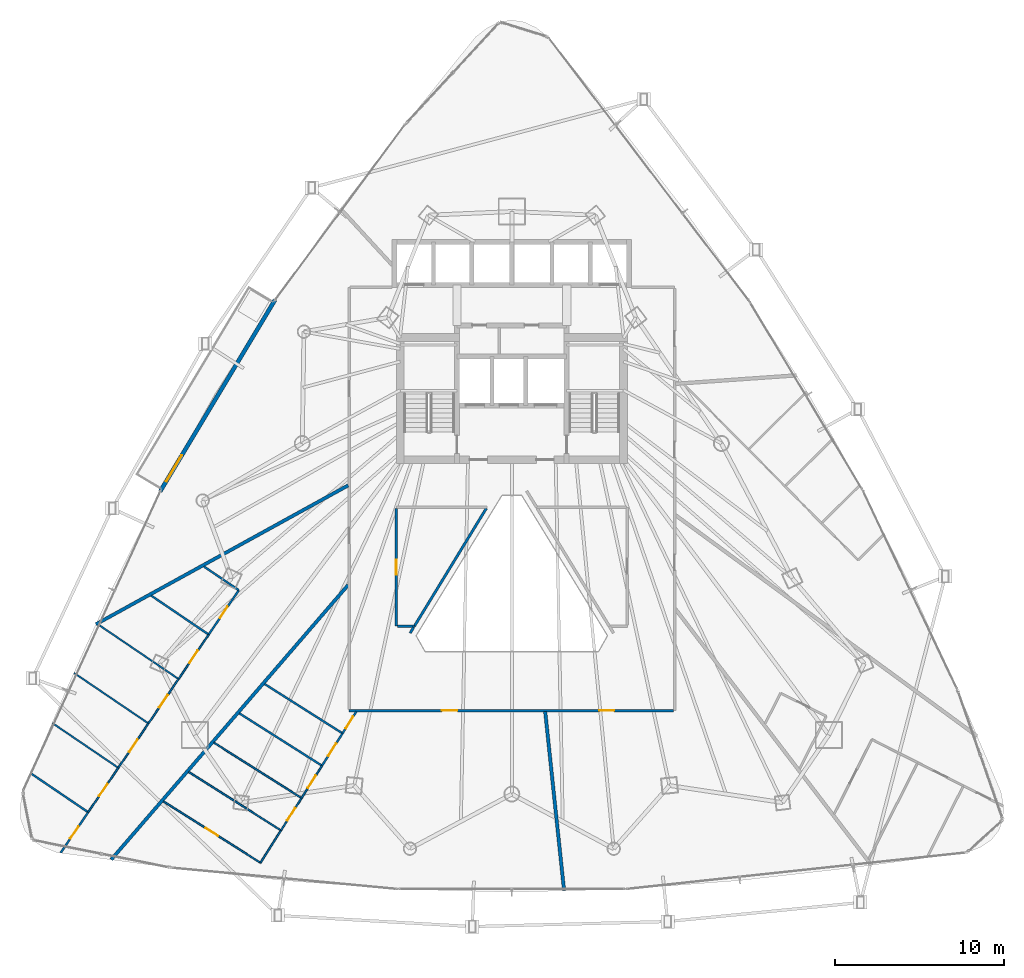
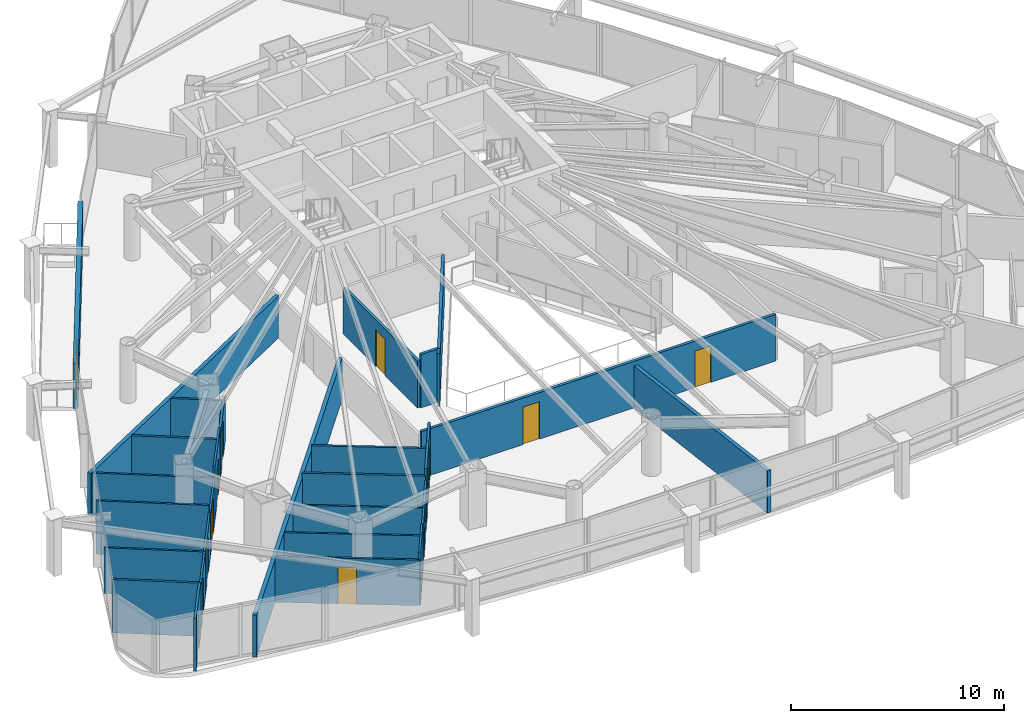
# One storey, part 29 of 35: 31 walls, 15 doors, 15 openings.
"""IFC4 building model written with IfcOpenShell, lengths in metres."""

from ifc_helpers import new_model, si_unit, direction, frame, frame_2d, origin, place, context, subcontext, project, spatial, rectangle, extrude, material, layer, layer_set, type_object, element, fill, save


model = new_model("IFC4")

# Units and contexts
model_context = context("Model", 3, precision=1e-05, world=origin(), true_north=direction((0.0, 1.0)))
body_context = subcontext(model_context, "Body", "Model", "MODEL_VIEW")
ifc_project = project(units=[si_unit("LENGTHUNIT", "METRE"), si_unit("AREAUNIT", "SQUARE_METRE"), si_unit("VOLUMEUNIT", "CUBIC_METRE"), si_unit("PLANEANGLEUNIT", "RADIAN"), si_unit("MASSUNIT", "GRAM", prefix="KILO")], contexts=[model_context])

# Site, building, storey
site_placement = place(None, origin())
site = spatial("IfcSite", under=ifc_project, at=site_placement, CompositionType="ELEMENT")
building_placement = place(site_placement, origin())
building = spatial("IfcBuilding", under=site, at=building_placement, Name="Orvanel Arch Residences", CompositionType="ELEMENT")
storey_placement = place(building_placement, frame((0.0, 0.0, 30.199951171875)))
storey = spatial("IfcBuildingStorey", under=building, at=storey_placement, Name="L07", CompositionType="ELEMENT", Elevation=30.199951171875)

# Wall, opening, door
ifc_material_1 = material(Name="Precast concrete N50 (50 MPa)", Category="concrete")
ifc_layer_1 = layer(ifc_material_1, 0.239990234375)
ifc_layer_set_1 = layer_set([ifc_layer_1], Name="Precast concrete N50 (50 MPa)")
wall_type_1 = type_object("IfcWallType", Name="EW-BAL-240", PredefinedType="SOLIDWALL", material=ifc_layer_set_1)
wall_1_placement = place(storey_placement, frame((18.95703125, 36.159912109375, 0.0), z_axis=(0.0, 0.0, 1.0), x_axis=(-0.51435482044, -0.857577470955, 0.0)))
wall_1 = element("IfcWall", 1, at=wall_1_placement, inside=storey, type_object=wall_type_1, Name="L07 Balcony Threshold Wall Face 1", PredefinedType="SOLIDWALL", context=body_context, shape_type="SweptSolid", body=[
    extrude(rectangle(XDim=13.24755859375, YDim=0.239990234375, at=frame_2d((6.623779296875, 0.0))), origin(), (0.0, 0.0, 1.0), 2.6240234375),
])
opening_1_placement = place(wall_1_placement, frame((10.75, 0.0, 0.0)))
opening_1 = element("IfcOpeningElement", 2, at=opening_1_placement, cuts=wall_1, Name="Opening DB-180", PredefinedType="OPENING", context=body_context, shape_type="SweptSolid", body=[
    extrude(rectangle(XDim=1.800048828125, YDim=2.199951171875, at=frame_2d((0.89990234375, 1.10009765625))), frame((0.0, 0.1298828125, 0.0), z_axis=(0.0, -1.0, 0.0), x_axis=(1.0, 0.0, 0.0)), (0.0, 0.0, 1.0), 0.260009765625),
])
ifc_material_2 = material(Name="Bronze-anodised aluminium AA6063-T6", Category="aluminium")
door_type_1 = type_object("IfcDoorType", Name="DR-BAL-1800", OperationType="NOTDEFINED", PredefinedType="DOOR", material=ifc_material_2)
door_1_placement = place(opening_1_placement, origin())
door_1 = element("IfcDoor", 3, at=door_1_placement, inside=storey, type_object=door_type_1, Name="DR-L07-BAL-F1 L07 Planted Balcony Access Door Face 1", OperationType="SINGLE_SWING_LEFT", OverallHeight=2.199951171875, OverallWidth=1.800048828125, PredefinedType="DOOR", context=body_context, shape_type="SweptSolid", body=[
    extrude(rectangle(XDim=1.800048828125, YDim=2.199951171875, at=frame_2d((0.89990234375, 1.10009765625))), frame((0.0, 0.02490234375, 0.0), z_axis=(0.0, -1.0, 0.0), x_axis=(1.0, 0.0, 0.0)), (0.0, 0.0, 1.0), 0.050048828125),
])
fill(opening_1, door_1)

# Wall, openings, doors
ifc_material_3 = material(Name="Fire-rated plasterboard lined steel stud partition", Category="steel")
ifc_layer_2 = layer(ifc_material_3, 0.14990234375)
ifc_layer_set_2 = layer_set([ifc_layer_2], Name="Fire-rated plasterboard lined steel stud partition")
wall_type_2 = type_object("IfcWallType", Name="W-COR-150", PredefinedType="PARTITIONING", material=ifc_layer_set_2)
wall_2_placement = place(storey_placement, frame((42.590087890625, 11.800048828125, 0.0), z_axis=(0.0, 0.0, 1.0), x_axis=(-1.0, 0.0, 0.0)))
wall_2 = element("IfcWall", 4, at=wall_2_placement, inside=storey, type_object=wall_type_2, Name="L07 Corridor Fire-Rated Partition", PredefinedType="PARTITIONING", context=body_context, shape_type="SweptSolid", body=[
    extrude(rectangle(XDim=19.239990234375, YDim=0.14990234375, at=frame_2d((9.6201171875, 0.0))), origin(), (0.0, 0.0, 1.0), 2.6689453125),
])
opening_2_placement = place(wall_2_placement, frame((12.818115234375, 0.0, 0.0)))
opening_2 = element("IfcOpeningElement", 5, at=opening_2_placement, cuts=wall_2, Name="Opening DA-092", PredefinedType="OPENING", context=body_context, shape_type="SweptSolid", body=[
    extrude(rectangle(XDim=0.919921875, YDim=2.14990234375, at=frame_2d((0.4599609375, 1.074951171875))), frame((0.0, 0.0849609375, 0.0), z_axis=(0.0, -1.0, 0.0), x_axis=(1.0, 0.0, 0.0)), (0.0, 0.0, 1.0), 0.169921875),
])
opening_3_placement = place(wall_2_placement, frame((3.51904296875, 0.0, 0.0)))
opening_3 = element("IfcOpeningElement", 6, at=opening_3_placement, cuts=wall_2, Name="Opening DI-088", PredefinedType="OPENING", context=body_context, shape_type="SweptSolid", body=[
    extrude(rectangle(XDim=0.8798828125, YDim=2.10009765625, at=frame_2d((0.43994140625, 1.050048828125))), frame((0.0, 0.0849609375, 0.0), z_axis=(0.0, -1.0, 0.0), x_axis=(1.0, 0.0, 0.0)), (0.0, 0.0, 1.0), 0.169921875),
])
ifc_material_4 = material(Name="Solid-core European oak veneer fire door leaf", Category="wood")
door_type_2 = type_object("IfcDoorType", Name="DR-APT-920", OperationType="NOTDEFINED", PredefinedType="DOOR", material=ifc_material_4)
door_2_placement = place(opening_2_placement, origin())
door_2 = element("IfcDoor", 7, at=door_2_placement, inside=storey, type_object=door_type_2, Name="DR-L07-A-ENT L07 Studio A Entrance Door", OperationType="SINGLE_SWING_RIGHT", OverallHeight=2.14990234375, OverallWidth=0.919921875, PredefinedType="DOOR", context=body_context, shape_type="SweptSolid", body=[
    extrude(rectangle(XDim=0.919921875, YDim=2.14990234375, at=frame_2d((0.4599609375, 1.074951171875))), frame((0.0, 0.02490234375, 0.0), z_axis=(0.0, -1.0, 0.0), x_axis=(1.0, 0.0, 0.0)), (0.0, 0.0, 1.0), 0.050048828125),
])
fill(opening_2, door_2)
door_type_3 = type_object("IfcDoorType", Name="DR-INT-880", OperationType="NOTDEFINED", PredefinedType="DOOR", material=ifc_material_4)
door_3_placement = place(opening_3_placement, origin())
door_3 = element("IfcDoor", 8, at=door_3_placement, inside=storey, type_object=door_type_3, Name="DR-L07-SHRD-FB4 L07 Co-Working Study Office D Door", OperationType="SINGLE_SWING_LEFT", OverallHeight=2.10009765625, OverallWidth=0.8798828125, PredefinedType="DOOR", context=body_context, shape_type="SweptSolid", body=[
    extrude(rectangle(XDim=0.8798828125, YDim=2.10009765625, at=frame_2d((0.43994140625, 1.050048828125))), frame((0.0, 0.02490234375, 0.0), z_axis=(0.0, -1.0, 0.0), x_axis=(1.0, 0.0, 0.0)), (0.0, 0.0, 1.0), 0.050048828125),
])
fill(opening_3, door_3)

# Wall, opening, door
wall_3_placement = place(storey_placement, frame((26.14990234375, 23.7900390625, 0.0), z_axis=(0.0, 0.0, 1.0), x_axis=(0.0, -1.0, 0.0)))
wall_3 = element("IfcWall", 9, at=wall_3_placement, inside=storey, type_object=wall_type_2, Name="L07 Corridor Fire-Rated Partition", PredefinedType="PARTITIONING", context=body_context, shape_type="SweptSolid", body=[
    extrude(rectangle(XDim=6.989990234375, YDim=0.14990234375, at=frame_2d((3.4951171875, 0.0))), origin(), (0.0, 0.0, 1.0), 2.6689453125),
])
opening_4_placement = place(wall_3_placement, frame((3.054931640625, 0.0, 0.0)))
opening_4 = element("IfcOpeningElement", 10, at=opening_4_placement, cuts=wall_3, Name="Opening DI-088", PredefinedType="OPENING", context=body_context, shape_type="SweptSolid", body=[
    extrude(rectangle(XDim=0.8798828125, YDim=2.10009765625, at=frame_2d((0.43994140625, 1.050048828125))), frame((0.0, 0.0849609375, 0.0), z_axis=(0.0, -1.0, 0.0), x_axis=(1.0, 0.0, 0.0)), (0.0, 0.0, 1.0), 0.169921875),
])
door_4_placement = place(opening_4_placement, origin())
door_4 = element("IfcDoor", 11, at=door_4_placement, inside=storey, type_object=door_type_3, Name="DR-L07-SHRD-FB9 L07 Co-Working Study Office I Door", OperationType="SINGLE_SWING_LEFT", OverallHeight=2.10009765625, OverallWidth=0.8798828125, PredefinedType="DOOR", context=body_context, shape_type="SweptSolid", body=[
    extrude(rectangle(XDim=0.8798828125, YDim=2.10009765625, at=frame_2d((0.43994140625, 1.050048828125))), frame((0.0, 0.02490234375, 0.0), z_axis=(0.0, -1.0, 0.0), x_axis=(1.0, 0.0, 0.0)), (0.0, 0.0, 1.0), 0.050048828125),
])
fill(opening_4, door_4)

# Walls
wall_4_placement = place(storey_placement, frame((26.2099609375, 16.800048828125, 0.0), z_axis=(0.0, 0.0, 1.0), x_axis=(1.0, 0.0, 0.0)))
element("IfcWall", 12, at=wall_4_placement, inside=storey, type_object=wall_type_2, Name="L07 Corridor Fire-Rated Partition", PredefinedType="PARTITIONING", context=body_context, shape_type="SweptSolid", body=[
    extrude(rectangle(XDim=1.0029296875, YDim=0.14990234375, at=frame_2d((0.50146484375, 0.0))), origin(), (0.0, 0.0, 1.0), 3.06005859375),
])
wall_5_placement = place(storey_placement, frame((27.177001953125, 16.739990234375, 0.0), z_axis=(0.0, 0.0, 1.0), x_axis=(-0.513515835534, -0.858080116688, 0.0)))
element("IfcWall", 13, at=wall_5_placement, inside=storey, type_object=wall_type_2, Name="L07 Corridor Fire-Rated Partition", PredefinedType="PARTITIONING", context=body_context, shape_type="SweptSolid", body=[
    extrude(rectangle(XDim=0.403076171875, YDim=0.14990234375, at=frame_2d((0.20166015625, 0.0))), origin(), (0.0, 0.0, 1.0), 3.06005859375),
])
wall_6_placement = place(storey_placement, frame((27.212890625, 16.791015625, 0.0), z_axis=(0.0, 0.0, 1.0), x_axis=(0.521095914239, 0.853498124288, 0.0)))
element("IfcWall", 14, at=wall_6_placement, inside=storey, type_object=wall_type_2, Name="L07 Atrium Overlook Glazed Partition", PredefinedType="PARTITIONING", context=body_context, shape_type="SweptSolid", body=[
    extrude(rectangle(XDim=8.200439453125, YDim=0.14990234375, at=frame_2d((4.10009765625, 0.0))), origin(), (0.0, 0.0, 1.0), 2.6689453125),
])
ifc_layer_3 = layer(ifc_material_3, 0.199951171875)
ifc_layer_set_3 = layer_set([ifc_layer_3], Name="Fire-rated plasterboard lined steel stud partition")
wall_type_3 = type_object("IfcWallType", Name="W-DEM-200", PredefinedType="PARTITIONING", material=ifc_layer_set_3)
wall_7_placement = place(storey_placement, frame((9.239990234375, 2.958984375, 0.0), z_axis=(0.0, 0.0, 1.0), x_axis=(0.653213734957, 0.757173570896, 0.0)))
element("IfcWall", 15, at=wall_7_placement, inside=storey, type_object=wall_type_3, Name="L07 Inter-Tenancy Acoustic Demising Wall", PredefinedType="PARTITIONING", context=body_context, shape_type="SweptSolid", body=[
    extrude(rectangle(XDim=21.509033203125, YDim=0.199951171875, at=frame_2d((10.75439453125, 0.0))), origin(), (0.0, 0.0, 1.0), 2.4130859375),
])
wall_8_placement = place(storey_placement, frame((34.97900390625, 11.739990234375, 0.0), z_axis=(0.0, 0.0, 1.0), x_axis=(0.104910939681, -0.994481621115, 0.0)))
element("IfcWall", 16, at=wall_8_placement, inside=storey, type_object=wall_type_3, Name="L07 Inter-Tenancy Acoustic Demising Wall", PredefinedType="PARTITIONING", context=body_context, shape_type="SweptSolid", body=[
    extrude(rectangle(XDim=10.6767578125, YDim=0.199951171875, at=frame_2d((5.33837890625, 0.0))), origin(), (0.0, 0.0, 1.0), 2.4130859375),
])
wall_9_placement = place(storey_placement, frame((8.3310546875, 16.916015625, 0.0), z_axis=(0.0, 0.0, 1.0), x_axis=(0.875977946948, 0.482351154721, 0.0)))
element("IfcWall", 17, at=wall_9_placement, inside=storey, type_object=wall_type_3, Name="L07 Inter-Tenancy Acoustic Demising Wall", PredefinedType="PARTITIONING", context=body_context, shape_type="SweptSolid", body=[
    extrude(rectangle(XDim=17.076904296875, YDim=0.199951171875, at=frame_2d((8.53857421875, 0.0))), origin(), (0.0, 0.0, 1.0), 2.4130859375),
])

# Wall, opening, door
ifc_material_5 = material(Name="Acoustic plasterboard lined twin-stud partition", Category="gypsum")
ifc_layer_4 = layer(ifc_material_5, 0.10009765625)
ifc_layer_set_4 = layer_set([ifc_layer_4], Name="Acoustic plasterboard lined twin-stud partition")
wall_type_4 = type_object("IfcWallType", Name="W-INT-100", PredefinedType="PARTITIONING", material=ifc_layer_set_4)
wall_10_placement = place(storey_placement, frame((12.3349609375, 6.4169921875, 0.0), z_axis=(0.0, 0.0, 1.0), x_axis=(0.844634990869, -0.535342630657, 0.0)))
wall_10 = element("IfcWall", 18, at=wall_10_placement, inside=storey, type_object=wall_type_4, Name="L07 Studio A Internal Partition", PredefinedType="PARTITIONING", context=body_context, shape_type="SweptSolid", body=[
    extrude(rectangle(XDim=6.816162109375, YDim=0.10009765625, at=frame_2d((3.408203125, 0.0))), origin(), (0.0, 0.0, 1.0), 2.619140625),
])
opening_5_placement = place(wall_10_placement, frame((2.968017578125, 0.0, 0.0)))
opening_5 = element("IfcOpeningElement", 19, at=opening_5_placement, cuts=wall_10, Name="Opening DI-088", PredefinedType="OPENING", context=body_context, shape_type="SweptSolid", body=[
    extrude(rectangle(XDim=0.8798828125, YDim=2.10009765625, at=frame_2d((0.43994140625, 1.050048828125))), frame((0.0, 0.06005859375, 0.0), z_axis=(0.0, -1.0, 0.0), x_axis=(1.0, 0.0, 0.0)), (0.0, 0.0, 1.0), 0.1201171875),
])
door_5_placement = place(opening_5_placement, origin())
door_5 = element("IfcDoor", 20, at=door_5_placement, inside=storey, type_object=door_type_3, Name="DR-L07-A-OFC1 L07 Studio A Home Work Office 1 Door", OperationType="SINGLE_SWING_LEFT", OverallHeight=2.10009765625, OverallWidth=0.8798828125, PredefinedType="DOOR", context=body_context, shape_type="SweptSolid", body=[
    extrude(rectangle(XDim=0.8798828125, YDim=2.10009765625, at=frame_2d((0.43994140625, 1.050048828125))), frame((0.0, 0.02490234375, 0.0), z_axis=(0.0, -1.0, 0.0), x_axis=(1.0, 0.0, 0.0)), (0.0, 0.0, 1.0), 0.050048828125),
])
fill(opening_5, door_5)

# Wall
wall_11_placement = place(storey_placement, frame((18.092041015625, 2.76806640625, 0.0), z_axis=(0.0, 0.0, 1.0), x_axis=(0.535087860904, 0.844796414003, 0.0)))
element("IfcWall", 21, at=wall_11_placement, inside=storey, type_object=wall_type_4, Name="L07 Studio A Internal Partition", PredefinedType="PARTITIONING", context=body_context, shape_type="SweptSolid", body=[
    extrude(rectangle(XDim=2.272705078125, YDim=0.10009765625, at=frame_2d((1.13623046875, 0.0))), origin(), (0.0, 0.0, 1.0), 3.06005859375),
])

# Wall, opening, door
wall_12_placement = place(storey_placement, frame((19.30810546875, 4.68798828125, 0.0), z_axis=(0.0, 0.0, 1.0), x_axis=(0.535512120593, 0.844527541705, 0.0)))
wall_12 = element("IfcWall", 22, at=wall_12_placement, inside=storey, type_object=wall_type_4, Name="L07 Studio A Internal Partition", PredefinedType="PARTITIONING", context=body_context, shape_type="SweptSolid", body=[
    extrude(rectangle(XDim=2.272216796875, YDim=0.10009765625, at=frame_2d((1.13623046875, 0.0))), origin(), (0.0, 0.0, 1.0), 2.4130859375),
])
opening_6_placement = place(wall_12_placement, frame((0.696044921875, 0.0, 0.0)))
opening_6 = element("IfcOpeningElement", 23, at=opening_6_placement, cuts=wall_12, Name="Opening DI-088", PredefinedType="OPENING", context=body_context, shape_type="SweptSolid", body=[
    extrude(rectangle(XDim=0.8798828125, YDim=2.10009765625, at=frame_2d((0.43994140625, 1.050048828125))), frame((0.0, 0.06005859375, 0.0), z_axis=(0.0, -1.0, 0.0), x_axis=(1.0, 0.0, 0.0)), (0.0, 0.0, 1.0), 0.1201171875),
])
door_6_placement = place(opening_6_placement, origin())
door_6 = element("IfcDoor", 24, at=door_6_placement, inside=storey, type_object=door_type_3, Name="DR-L07-A-OFC2 L07 Studio A Home Work Office 2 Door", OperationType="SINGLE_SWING_LEFT", OverallHeight=2.10009765625, OverallWidth=0.8798828125, PredefinedType="DOOR", context=body_context, shape_type="SweptSolid", body=[
    extrude(rectangle(XDim=0.8798828125, YDim=2.10009765625, at=frame_2d((0.43994140625, 1.050048828125))), frame((0.0, 0.02490234375, 0.0), z_axis=(0.0, -1.0, 0.0), x_axis=(1.0, 0.0, 0.0)), (0.0, 0.0, 1.0), 0.050048828125),
])
fill(opening_6, door_6)

wall_13_placement = place(storey_placement, frame((20.52490234375, 6.60693359375, 0.0), z_axis=(0.0, 0.0, 1.0), x_axis=(0.53503930364, 0.844827167864, 0.0)))
wall_13 = element("IfcWall", 25, at=wall_13_placement, inside=storey, type_object=wall_type_4, Name="L07 Studio A Internal Partition", PredefinedType="PARTITIONING", context=body_context, shape_type="SweptSolid", body=[
    extrude(rectangle(XDim=2.27294921875, YDim=0.10009765625, at=frame_2d((1.136474609375, 0.0))), origin(), (0.0, 0.0, 1.0), 2.4130859375),
])
opening_7_placement = place(wall_13_placement, frame((0.696044921875, 0.0, 0.0)))
opening_7 = element("IfcOpeningElement", 26, at=opening_7_placement, cuts=wall_13, Name="Opening DI-088", PredefinedType="OPENING", context=body_context, shape_type="SweptSolid", body=[
    extrude(rectangle(XDim=0.8798828125, YDim=2.10009765625, at=frame_2d((0.43994140625, 1.050048828125))), frame((0.0, 0.06005859375, 0.0), z_axis=(0.0, -1.0, 0.0), x_axis=(1.0, 0.0, 0.0)), (0.0, 0.0, 1.0), 0.1201171875),
])
door_7_placement = place(opening_7_placement, origin())
door_7 = element("IfcDoor", 27, at=door_7_placement, inside=storey, type_object=door_type_3, Name="DR-L07-A-AME3 L07 Studio A Resident Reading Library 1 Door", OperationType="SINGLE_SWING_LEFT", OverallHeight=2.10009765625, OverallWidth=0.8798828125, PredefinedType="DOOR", context=body_context, shape_type="SweptSolid", body=[
    extrude(rectangle(XDim=0.8798828125, YDim=2.10009765625, at=frame_2d((0.43994140625, 1.050048828125))), frame((0.0, 0.02490234375, 0.0), z_axis=(0.0, -1.0, 0.0), x_axis=(1.0, 0.0, 0.0)), (0.0, 0.0, 1.0), 0.050048828125),
])
fill(opening_7, door_7)

# Walls
wall_14_placement = place(storey_placement, frame((13.8359375, 8.156005859375, 0.0), z_axis=(0.0, 0.0, 1.0), x_axis=(0.844657780298, -0.535306673023, 0.0)))
element("IfcWall", 28, at=wall_14_placement, inside=storey, type_object=wall_type_4, Name="L07 Studio A Internal Partition", PredefinedType="PARTITIONING", context=body_context, shape_type="SweptSolid", body=[
    extrude(rectangle(XDim=6.478515625, YDim=0.10009765625, at=frame_2d((3.2392578125, 0.0))), origin(), (0.0, 0.0, 1.0), 2.4130859375),
])
wall_15_placement = place(storey_placement, frame((15.3359375, 9.89501953125, 0.0), z_axis=(0.0, 0.0, 1.0), x_axis=(0.844690904033, -0.535254403666, 0.0)))
element("IfcWall", 29, at=wall_15_placement, inside=storey, type_object=wall_type_4, Name="L07 Studio A Internal Partition", PredefinedType="PARTITIONING", context=body_context, shape_type="SweptSolid", body=[
    extrude(rectangle(XDim=6.14306640625, YDim=0.10009765625, at=frame_2d((3.071533203125, 0.0))), origin(), (0.0, 0.0, 1.0), 2.4130859375),
])

# Wall, opening, door
wall_16_placement = place(storey_placement, frame((11.447021484375, 11.035888671875, 0.0), z_axis=(0.0, 0.0, 1.0), x_axis=(0.561180574224, 0.827693399221, 0.0)))
wall_16 = element("IfcWall", 30, at=wall_16_placement, inside=storey, type_object=wall_type_4, Name="L07 Flat C Internal Partition", PredefinedType="PARTITIONING", context=body_context, shape_type="SweptSolid", body=[
    extrude(rectangle(XDim=3.182373046875, YDim=0.10009765625, at=frame_2d((1.59130859375, 0.0))), origin(), (0.0, 0.0, 1.0), 2.4130859375),
])
opening_8_placement = place(wall_16_placement, frame((1.15087890625, 0.0, 0.0)))
opening_8 = element("IfcOpeningElement", 31, at=opening_8_placement, cuts=wall_16, Name="Opening DI-088", PredefinedType="OPENING", context=body_context, shape_type="SweptSolid", body=[
    extrude(rectangle(XDim=0.8798828125, YDim=2.10009765625, at=frame_2d((0.43994140625, 1.050048828125))), frame((0.0, 0.06005859375, 0.0), z_axis=(0.0, -1.0, 0.0), x_axis=(1.0, 0.0, 0.0)), (0.0, 0.0, 1.0), 0.1201171875),
])
door_8_placement = place(opening_8_placement, origin())
door_8 = element("IfcDoor", 32, at=door_8_placement, inside=storey, type_object=door_type_3, Name="DR-L07-C-BED1 L07 Flat C Bedroom 1 Door", OperationType="SINGLE_SWING_LEFT", OverallHeight=2.10009765625, OverallWidth=0.8798828125, PredefinedType="DOOR", context=body_context, shape_type="SweptSolid", body=[
    extrude(rectangle(XDim=0.8798828125, YDim=2.10009765625, at=frame_2d((0.43994140625, 1.050048828125))), frame((0.0, 0.02490234375, 0.0), z_axis=(0.0, -1.0, 0.0), x_axis=(1.0, 0.0, 0.0)), (0.0, 0.0, 1.0), 0.050048828125),
])
fill(opening_8, door_8)

wall_17_placement = place(storey_placement, frame((9.659912109375, 8.402099609375, 0.0), z_axis=(0.0, 0.0, 1.0), x_axis=(0.561478909132, 0.827491048048, 0.0)))
wall_17 = element("IfcWall", 33, at=wall_17_placement, inside=storey, type_object=wall_type_4, Name="L07 Flat C Internal Partition", PredefinedType="PARTITIONING", context=body_context, shape_type="SweptSolid", body=[
    extrude(rectangle(XDim=3.182861328125, YDim=0.10009765625, at=frame_2d((1.59130859375, 0.0))), origin(), (0.0, 0.0, 1.0), 2.619140625),
])
opening_9_placement = place(wall_17_placement, frame((1.15087890625, 0.0, 0.0)))
opening_9 = element("IfcOpeningElement", 34, at=opening_9_placement, cuts=wall_17, Name="Opening DI-088", PredefinedType="OPENING", context=body_context, shape_type="SweptSolid", body=[
    extrude(rectangle(XDim=0.8798828125, YDim=2.10009765625, at=frame_2d((0.43994140625, 1.050048828125))), frame((0.0, 0.06005859375, 0.0), z_axis=(0.0, -1.0, 0.0), x_axis=(1.0, 0.0, 0.0)), (0.0, 0.0, 1.0), 0.1201171875),
])
door_9_placement = place(opening_9_placement, origin())
door_9 = element("IfcDoor", 35, at=door_9_placement, inside=storey, type_object=door_type_3, Name="DR-L07-C-AME2 L07 Flat C Resident Reading Library 2 Door", OperationType="SINGLE_SWING_LEFT", OverallHeight=2.10009765625, OverallWidth=0.8798828125, PredefinedType="DOOR", context=body_context, shape_type="SweptSolid", body=[
    extrude(rectangle(XDim=0.8798828125, YDim=2.10009765625, at=frame_2d((0.43994140625, 1.050048828125))), frame((0.0, 0.02490234375, 0.0), z_axis=(0.0, -1.0, 0.0), x_axis=(1.0, 0.0, 0.0)), (0.0, 0.0, 1.0), 0.050048828125),
])
fill(opening_9, door_9)

wall_18_placement = place(storey_placement, frame((7.873046875, 5.76806640625, 0.0), z_axis=(0.0, 0.0, 1.0), x_axis=(0.561390746336, 0.827550862442, 0.0)))
wall_18 = element("IfcWall", 36, at=wall_18_placement, inside=storey, type_object=wall_type_4, Name="L07 Flat C Internal Partition", PredefinedType="PARTITIONING", context=body_context, shape_type="SweptSolid", body=[
    extrude(rectangle(XDim=3.182861328125, YDim=0.10009765625, at=frame_2d((1.59130859375, 0.0))), origin(), (0.0, 0.0, 1.0), 2.619140625),
])
opening_10_placement = place(wall_18_placement, frame((1.15087890625, 0.0, 0.0)))
opening_10 = element("IfcOpeningElement", 37, at=opening_10_placement, cuts=wall_18, Name="Opening DI-088", PredefinedType="OPENING", context=body_context, shape_type="SweptSolid", body=[
    extrude(rectangle(XDim=0.8798828125, YDim=2.10009765625, at=frame_2d((0.43994140625, 1.050048828125))), frame((0.0, 0.06005859375, 0.0), z_axis=(0.0, -1.0, 0.0), x_axis=(1.0, 0.0, 0.0)), (0.0, 0.0, 1.0), 0.1201171875),
])
door_10_placement = place(opening_10_placement, origin())
door_10 = element("IfcDoor", 38, at=door_10_placement, inside=storey, type_object=door_type_3, Name="DR-L07-C-DIN3 L07 Flat C Dining Room 3 Door", OperationType="SINGLE_SWING_LEFT", OverallHeight=2.10009765625, OverallWidth=0.8798828125, PredefinedType="DOOR", context=body_context, shape_type="SweptSolid", body=[
    extrude(rectangle(XDim=0.8798828125, YDim=2.10009765625, at=frame_2d((0.43994140625, 1.050048828125))), frame((0.0, 0.02490234375, 0.0), z_axis=(0.0, -1.0, 0.0), x_axis=(1.0, 0.0, 0.0)), (0.0, 0.0, 1.0), 0.050048828125),
])
fill(opening_10, door_10)

wall_19_placement = place(storey_placement, frame((13.23291015625, 13.669921875, 0.0), z_axis=(0.0, 0.0, 1.0), x_axis=(0.561443272398, 0.827515227582, 0.0)))
wall_19 = element("IfcWall", 39, at=wall_19_placement, inside=storey, type_object=wall_type_4, Name="L07 Flat C Internal Partition", PredefinedType="PARTITIONING", context=body_context, shape_type="SweptSolid", body=[
    extrude(rectangle(XDim=3.18310546875, YDim=0.10009765625, at=frame_2d((1.591552734375, 0.0))), origin(), (0.0, 0.0, 1.0), 3.06005859375),
])
opening_11_placement = place(wall_19_placement, frame((1.15087890625, 0.0, 0.0)))
opening_11 = element("IfcOpeningElement", 40, at=opening_11_placement, cuts=wall_19, Name="Opening DI-088", PredefinedType="OPENING", context=body_context, shape_type="SweptSolid", body=[
    extrude(rectangle(XDim=0.8798828125, YDim=2.10009765625, at=frame_2d((0.43994140625, 1.050048828125))), frame((0.0, 0.06005859375, 0.0), z_axis=(0.0, -1.0, 0.0), x_axis=(1.0, 0.0, 0.0)), (0.0, 0.0, 1.0), 0.1201171875),
])
door_11_placement = place(opening_11_placement, origin())
door_11 = element("IfcDoor", 41, at=door_11_placement, inside=storey, type_object=door_type_3, Name="DR-L07-C-DIN4 L07 Flat C Dining Room 4 Door", OperationType="SINGLE_SWING_LEFT", OverallHeight=2.10009765625, OverallWidth=0.8798828125, PredefinedType="DOOR", context=body_context, shape_type="SweptSolid", body=[
    extrude(rectangle(XDim=0.8798828125, YDim=2.10009765625, at=frame_2d((0.43994140625, 1.050048828125))), frame((0.0, 0.02490234375, 0.0), z_axis=(0.0, -1.0, 0.0), x_axis=(1.0, 0.0, 0.0)), (0.0, 0.0, 1.0), 0.050048828125),
])
fill(opening_11, door_11)

# Walls
wall_20_placement = place(storey_placement, frame((11.447021484375, 11.035888671875, 0.0), z_axis=(0.0, 0.0, 1.0), x_axis=(-0.827600351797, 0.561317786735, 0.0)))
element("IfcWall", 42, at=wall_20_placement, inside=storey, type_object=wall_type_4, Name="L07 Flat C Internal Partition", PredefinedType="PARTITIONING", context=body_context, shape_type="SweptSolid", body=[
    extrude(rectangle(XDim=5.332275390625, YDim=0.10009765625, at=frame_2d((2.666015625, 0.0))), origin(), (0.0, 0.0, 1.0), 3.06005859375),
])
wall_21_placement = place(storey_placement, frame((8.47509765625, 16.89794921875, 0.0), z_axis=(0.0, 0.0, 1.0), x_axis=(0.827515231239, -0.561443267007, 0.0)))
element("IfcWall", 43, at=wall_21_placement, inside=storey, type_object=wall_type_4, Name="L07 Flat C Internal Partition", PredefinedType="PARTITIONING", context=body_context, shape_type="SweptSolid", body=[
    extrude(rectangle(XDim=5.74951171875, YDim=0.10009765625, at=frame_2d((2.874755859375, 0.0))), origin(), (0.0, 0.0, 1.0), 2.4130859375),
])
wall_22_placement = place(storey_placement, frame((9.659912109375, 8.402099609375, 0.0), z_axis=(0.0, 0.0, 1.0), x_axis=(-0.827540801305, 0.561405577257, 0.0)))
element("IfcWall", 44, at=wall_22_placement, inside=storey, type_object=wall_type_4, Name="L07 Flat C Internal Partition", PredefinedType="PARTITIONING", context=body_context, shape_type="SweptSolid", body=[
    extrude(rectangle(XDim=4.734375, YDim=0.10009765625, at=frame_2d((2.3671875, 0.0))), origin(), (0.0, 0.0, 1.0), 2.619140625),
])

# Wall, opening, door
ifc_layer_5 = layer(ifc_material_5, 0.1201171875)
ifc_layer_set_5 = layer_set([ifc_layer_5], Name="Acoustic plasterboard lined twin-stud partition")
wall_type_5 = type_object("IfcWallType", Name="W-WET-120", PredefinedType="PARTITIONING", material=ifc_layer_set_5)
wall_23_placement = place(storey_placement, frame((22.9580078125, 10.446044921875, 0.0), z_axis=(0.0, 0.0, 1.0), x_axis=(0.535317457649, 0.844650945383, 0.0)))
wall_23 = element("IfcWall", 45, at=wall_23_placement, inside=storey, type_object=wall_type_5, Name="L07 Studio A Bathroom Partition", PredefinedType="PARTITIONING", context=body_context, shape_type="SweptSolid", body=[
    extrude(rectangle(XDim=1.531982421875, YDim=0.1201171875, at=frame_2d((0.76611328125, 0.0))), origin(), (0.0, 0.0, 1.0), 3.06005859375),
])
opening_12_placement = place(wall_23_placement, frame((0.35595703125, 0.0, 0.0)))
opening_12 = element("IfcOpeningElement", 46, at=opening_12_placement, cuts=wall_23, Name="Opening DW-082", PredefinedType="OPENING", context=body_context, shape_type="SweptSolid", body=[
    extrude(rectangle(XDim=0.820068359375, YDim=2.10009765625, at=frame_2d((0.41015625, 1.050048828125))), frame((0.0, 0.070068359375, 0.0), z_axis=(0.0, -1.0, 0.0), x_axis=(1.0, 0.0, 0.0)), (0.0, 0.0, 1.0), 0.14013671875),
])
door_type_4 = type_object("IfcDoorType", Name="DR-WET-820", OperationType="NOTDEFINED", PredefinedType="DOOR", material=ifc_material_4)
door_12_placement = place(opening_12_placement, origin())
door_12 = element("IfcDoor", 47, at=door_12_placement, inside=storey, type_object=door_type_4, Name="DR-L07-A-BATH L07 Studio A Bathroom Door", OperationType="SINGLE_SWING_RIGHT", OverallHeight=2.10009765625, OverallWidth=0.820068359375, PredefinedType="DOOR", context=body_context, shape_type="SweptSolid", body=[
    extrude(rectangle(XDim=0.820068359375, YDim=2.10009765625, at=frame_2d((0.41015625, 1.050048828125))), frame((0.0, 0.02490234375, 0.0), z_axis=(0.0, -1.0, 0.0), x_axis=(1.0, 0.0, 0.0)), (0.0, 0.0, 1.0), 0.050048828125),
])
fill(opening_12, door_12)

wall_24_placement = place(storey_placement, frame((21.740966796875, 8.527099609375, 0.0), z_axis=(0.0, 0.0, 1.0), x_axis=(0.535588747522, 0.844478947948, 0.0)))
wall_24 = element("IfcWall", 48, at=wall_24_placement, inside=storey, type_object=wall_type_5, Name="L07 Studio A Internal Partition", PredefinedType="PARTITIONING", context=body_context, shape_type="SweptSolid", body=[
    extrude(rectangle(XDim=2.2724609375, YDim=0.1201171875, at=frame_2d((1.13623046875, 0.0))), origin(), (0.0, 0.0, 1.0), 3.06005859375),
])
opening_13_placement = place(wall_24_placement, frame((0.696044921875, 0.0, 0.0)))
opening_13 = element("IfcOpeningElement", 49, at=opening_13_placement, cuts=wall_24, Name="Opening DI-088", PredefinedType="OPENING", context=body_context, shape_type="SweptSolid", body=[
    extrude(rectangle(XDim=0.8798828125, YDim=2.10009765625, at=frame_2d((0.43994140625, 1.050048828125))), frame((0.0, 0.070068359375, 0.0), z_axis=(0.0, -1.0, 0.0), x_axis=(1.0, 0.0, 0.0)), (0.0, 0.0, 1.0), 0.14013671875),
])
door_13_placement = place(opening_13_placement, origin())
door_13 = element("IfcDoor", 50, at=door_13_placement, inside=storey, type_object=door_type_3, Name="DR-L07-A-KIT L07 Studio A Kitchenette Door", OperationType="SINGLE_SWING_LEFT", OverallHeight=2.10009765625, OverallWidth=0.8798828125, PredefinedType="DOOR", context=body_context, shape_type="SweptSolid", body=[
    extrude(rectangle(XDim=0.8798828125, YDim=2.10009765625, at=frame_2d((0.43994140625, 1.050048828125))), frame((0.0, 0.02490234375, 0.0), z_axis=(0.0, -1.0, 0.0), x_axis=(1.0, 0.0, 0.0)), (0.0, 0.0, 1.0), 0.050048828125),
])
fill(opening_13, door_13)

# Walls
wall_25_placement = place(storey_placement, frame((22.9580078125, 10.446044921875, 0.0), z_axis=(0.0, 0.0, 1.0), x_axis=(-0.844661668189, 0.535300538289, 0.0)))
element("IfcWall", 51, at=wall_25_placement, inside=storey, type_object=wall_type_5, Name="L07 Studio A Bathroom Partition", PredefinedType="PARTITIONING", context=body_context, shape_type="SweptSolid", body=[
    extrude(rectangle(XDim=5.4697265625, YDim=0.1201171875, at=frame_2d((2.73486328125, 0.0))), origin(), (0.0, 0.0, 1.0), 2.6689453125),
])
wall_26_placement = place(storey_placement, frame((21.740966796875, 8.527099609375, 0.0), z_axis=(0.0, 0.0, 1.0), x_axis=(-0.84466254328, 0.535299157463, 0.0)))
element("IfcWall", 52, at=wall_26_placement, inside=storey, type_object=wall_type_5, Name="L07 Studio A Internal Partition", PredefinedType="PARTITIONING", context=body_context, shape_type="SweptSolid", body=[
    extrude(rectangle(XDim=5.805908203125, YDim=0.1201171875, at=frame_2d((2.90283203125, 0.0))), origin(), (0.0, 0.0, 1.0), 2.6689453125),
])

# Wall, opening, door
wall_27_placement = place(storey_placement, frame((15.02001953125, 16.303955078125, 0.0), z_axis=(0.0, 0.0, 1.0), x_axis=(0.561248235284, 0.827647520621, 0.0)))
wall_27 = element("IfcWall", 53, at=wall_27_placement, inside=storey, type_object=wall_type_5, Name="L07 Flat C Bathroom Partition", PredefinedType="PARTITIONING", context=body_context, shape_type="SweptSolid", body=[
    extrude(rectangle(XDim=3.183837890625, YDim=0.1201171875, at=frame_2d((1.591796875, 0.0))), origin(), (0.0, 0.0, 1.0), 2.6689453125),
])
opening_14_placement = place(wall_27_placement, frame((1.181884765625, 0.0, 0.0)))
opening_14 = element("IfcOpeningElement", 54, at=opening_14_placement, cuts=wall_27, Name="Opening DW-082", PredefinedType="OPENING", context=body_context, shape_type="SweptSolid", body=[
    extrude(rectangle(XDim=0.820068359375, YDim=2.10009765625, at=frame_2d((0.41015625, 1.050048828125))), frame((0.0, 0.070068359375, 0.0), z_axis=(0.0, -1.0, 0.0), x_axis=(1.0, 0.0, 0.0)), (0.0, 0.0, 1.0), 0.14013671875),
])
door_14_placement = place(opening_14_placement, origin())
door_14 = element("IfcDoor", 55, at=door_14_placement, inside=storey, type_object=door_type_4, Name="DR-L07-C-BATH L07 Flat C Bathroom Door", OperationType="SINGLE_SWING_RIGHT", OverallHeight=2.10009765625, OverallWidth=0.820068359375, PredefinedType="DOOR", context=body_context, shape_type="SweptSolid", body=[
    extrude(rectangle(XDim=0.820068359375, YDim=2.10009765625, at=frame_2d((0.41015625, 1.050048828125))), frame((0.0, 0.02490234375, 0.0), z_axis=(0.0, -1.0, 0.0), x_axis=(1.0, 0.0, 0.0)), (0.0, 0.0, 1.0), 0.050048828125),
])
fill(opening_14, door_14)

# Wall
wall_28_placement = place(storey_placement, frame((16.806884765625, 18.93896484375, 0.0), z_axis=(0.0, 0.0, 1.0), x_axis=(-0.82760029168, 0.561317875372, 0.0)))
element("IfcWall", 56, at=wall_28_placement, inside=storey, type_object=wall_type_5, Name="L07 Flat C Bathroom Partition", PredefinedType="PARTITIONING", context=body_context, shape_type="SweptSolid", body=[
    extrude(rectangle(XDim=2.5048828125, YDim=0.1201171875, at=frame_2d((1.25244140625, 0.0))), origin(), (0.0, 0.0, 1.0), 2.4130859375),
])

# Wall, opening, door
wall_29_placement = place(storey_placement, frame((6.239990234375, 3.360107421875, 0.0), z_axis=(0.0, 0.0, 1.0), x_axis=(0.561285940218, 0.82762195072, 0.0)))
wall_29 = element("IfcWall", 57, at=wall_29_placement, inside=storey, type_object=wall_type_5, Name="L07 Flat C Internal Partition", PredefinedType="PARTITIONING", context=body_context, shape_type="SweptSolid", body=[
    extrude(rectangle(XDim=2.909423828125, YDim=0.1201171875, at=frame_2d((1.45458984375, 0.0))), origin(), (0.0, 0.0, 1.0), 3.06005859375),
])
opening_15_placement = place(wall_29_placement, frame((1.014892578125, 0.0, 0.0)))
opening_15 = element("IfcOpeningElement", 58, at=opening_15_placement, cuts=wall_29, Name="Opening DI-088", PredefinedType="OPENING", context=body_context, shape_type="SweptSolid", body=[
    extrude(rectangle(XDim=0.8798828125, YDim=2.10009765625, at=frame_2d((0.43994140625, 1.050048828125))), frame((0.0, 0.070068359375, 0.0), z_axis=(0.0, -1.0, 0.0), x_axis=(1.0, 0.0, 0.0)), (0.0, 0.0, 1.0), 0.14013671875),
])
door_15_placement = place(opening_15_placement, origin())
door_15 = element("IfcDoor", 59, at=door_15_placement, inside=storey, type_object=door_type_3, Name="DR-L07-C-KIT L07 Flat C Kitchen Door", OperationType="SINGLE_SWING_LEFT", OverallHeight=2.10009765625, OverallWidth=0.8798828125, PredefinedType="DOOR", context=body_context, shape_type="SweptSolid", body=[
    extrude(rectangle(XDim=0.8798828125, YDim=2.10009765625, at=frame_2d((0.43994140625, 1.050048828125))), frame((0.0, 0.02490234375, 0.0), z_axis=(0.0, -1.0, 0.0), x_axis=(1.0, 0.0, 0.0)), (0.0, 0.0, 1.0), 0.050048828125),
])
fill(opening_15, door_15)

# Walls
wall_30_placement = place(storey_placement, frame((15.02001953125, 16.303955078125, 0.0), z_axis=(0.0, 0.0, 1.0), x_axis=(-0.827573908317, 0.561356772715, 0.0)))
element("IfcWall", 60, at=wall_30_placement, inside=storey, type_object=wall_type_5, Name="L07 Flat C Bathroom Partition", PredefinedType="PARTITIONING", context=body_context, shape_type="SweptSolid", body=[
    extrude(rectangle(XDim=4.127685546875, YDim=0.1201171875, at=frame_2d((2.06396484375, 0.0))), origin(), (0.0, 0.0, 1.0), 2.4130859375),
])
wall_31_placement = place(storey_placement, frame((4.468994140625, 8.076904296875, 0.0), z_axis=(0.0, 0.0, 1.0), x_axis=(0.827594933475, -0.561325775362, 0.0)))
element("IfcWall", 61, at=wall_31_placement, inside=storey, type_object=wall_type_5, Name="L07 Flat C Internal Partition", PredefinedType="PARTITIONING", context=body_context, shape_type="SweptSolid", body=[
    extrude(rectangle(XDim=4.11328125, YDim=0.1201171875, at=frame_2d((2.056640625, 0.0))), origin(), (0.0, 0.0, 1.0), 3.06005859375),
])

save(model, "model.ifc")
